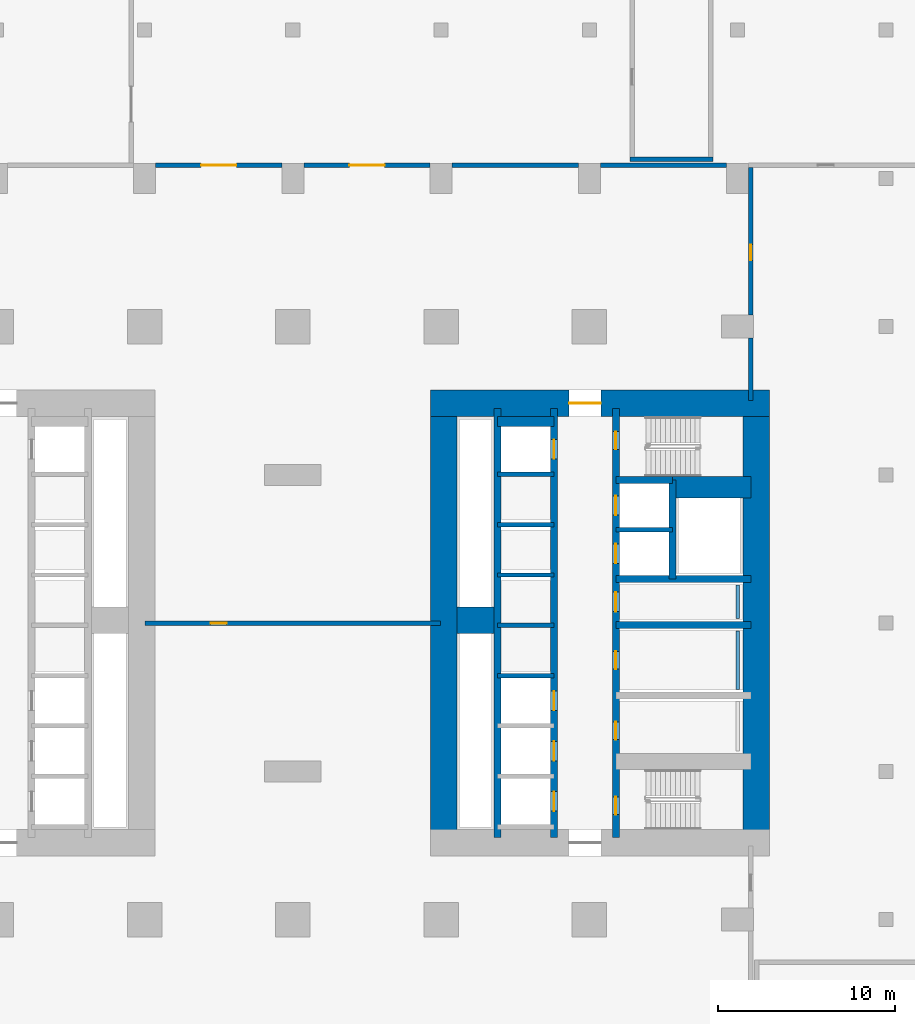
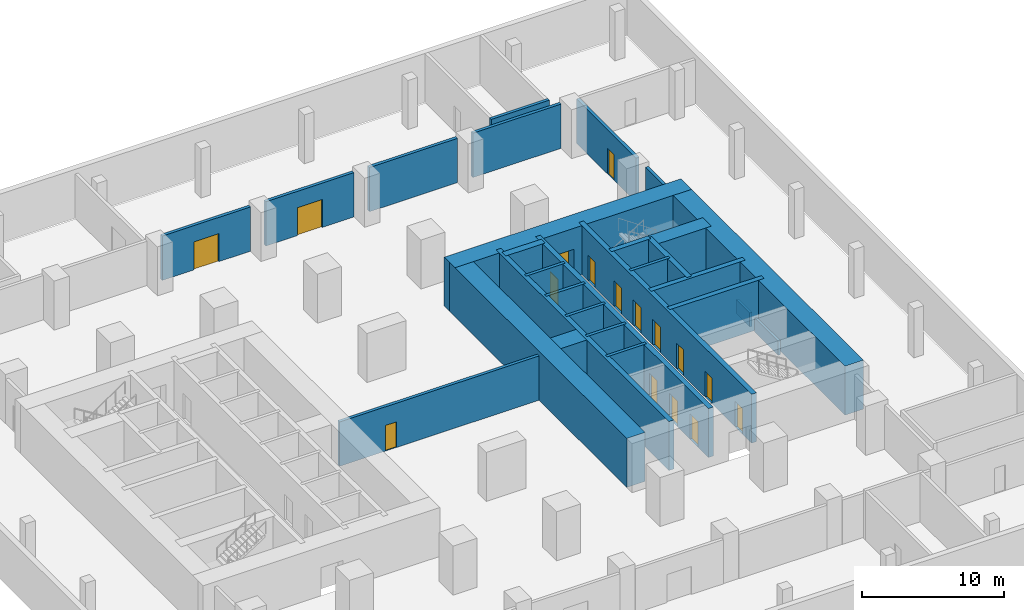
# One storey, part 4 of 8: 29 walls, 16 doors, 16 openings.
"""IFC4 building model written with IfcOpenShell, lengths in metres."""

from ifc_helpers import new_model, si_unit, direction, frame, frame_2d, origin, place, context, subcontext, project, spatial, rectangle, extrude, material, layer, layer_set, type_object, element, fill, save


model = new_model("IFC4")

# Units and contexts
model_context = context("Model", 3, precision=1e-05, world=origin(), true_north=direction((0.0, 1.0)))
body_context = subcontext(model_context, "Body", "Model", "MODEL_VIEW")
ifc_project = project(units=[si_unit("LENGTHUNIT", "METRE"), si_unit("AREAUNIT", "SQUARE_METRE"), si_unit("VOLUMEUNIT", "CUBIC_METRE"), si_unit("PLANEANGLEUNIT", "RADIAN"), si_unit("MASSUNIT", "GRAM", prefix="KILO")], contexts=[model_context])

# Site, building, storey
site_placement = place(None, origin())
site = spatial("IfcSite", under=ifc_project, at=site_placement, CompositionType="ELEMENT")
building_placement = place(site_placement, origin())
building = spatial("IfcBuilding", under=site, at=building_placement, Name="Claustro Exchange Tower", CompositionType="ELEMENT")
storey_placement = place(building_placement, frame((0.0, 0.0, -4.199951171875)))
storey = spatial("IfcBuildingStorey", under=building, at=storey_placement, Name="B1", CompositionType="ELEMENT", Elevation=-4.199951171875)

# Wall, opening, door
ifc_material_1 = material(Name="Concrete blockwork, rendered", Category="masonry")
ifc_layer_1 = layer(ifc_material_1, 0.25)
ifc_layer_set_1 = layer_set([ifc_layer_1], Name="Concrete blockwork, rendered")
wall_type_1 = type_object("IfcWallType", Name="P4 250 blockwork wall", PredefinedType="PARTITIONING", material=ifc_layer_set_1)
wall_1_placement = place(storey_placement, frame((17.424072265625, 51.14990234375, 0.0), z_axis=(0.0, 0.0, 1.0), x_axis=(1.0, 0.0, 0.0)))
wall_1 = element("IfcWall", 1, at=wall_1_placement, inside=storey, type_object=wall_type_1, Name="Partition P4 B1", PredefinedType="PARTITIONING", context=body_context, shape_type="SweptSolid", body=[
    extrude(rectangle(XDim=7.15185546875, YDim=0.25, at=frame_2d((3.575927734375, 0.0))), origin(), (0.0, 0.0, 1.0), 3.800048828125),
])
opening_1_placement = place(wall_1_placement, frame((2.575927734375, 0.0, 0.0)))
opening_1 = element("IfcOpeningElement", 2, at=opening_1_placement, cuts=wall_1, Name="Opening D9", PredefinedType="OPENING", context=body_context, shape_type="SweptSolid", body=[
    extrude(rectangle(XDim=2.0, YDim=2.39990234375, at=frame_2d((1.0, 1.199951171875))), frame((0.0, 0.135009765625, 0.0), z_axis=(0.0, -1.0, 0.0), x_axis=(1.0, 0.0, 0.0)), (0.0, 0.0, 1.0), 0.27001953125),
])
ifc_material_2 = material(Name="Steel fire door, painted", Category="steel")
door_type_1 = type_object("IfcDoorType", Name="D9 2000 x 2400 plant room double door", OperationType="DOUBLE_DOOR_SINGLE_SWING", PredefinedType="DOOR", material=ifc_material_2)
door_1_placement = place(opening_1_placement, origin())
door_1 = element("IfcDoor", 3, at=door_1_placement, inside=storey, type_object=door_type_1, Name="Double door D9 B1", OperationType="DOUBLE_DOOR_SINGLE_SWING", OverallHeight=2.39990234375, OverallWidth=2.0, PredefinedType="DOOR", context=body_context, shape_type="SweptSolid", body=[
    extrude(rectangle(XDim=2.0, YDim=2.39990234375, at=frame_2d((1.0, 1.199951171875))), frame((0.0, 0.02490234375, 0.0), z_axis=(0.0, -1.0, 0.0), x_axis=(1.0, 0.0, 0.0)), (0.0, 0.0, 1.0), 0.050048828125),
])
fill(opening_1, door_1)

wall_2_placement = place(storey_placement, frame((25.823974609375, 51.14990234375, 0.0), z_axis=(0.0, 0.0, 1.0), x_axis=(1.0, 0.0, 0.0)))
wall_2 = element("IfcWall", 4, at=wall_2_placement, inside=storey, type_object=wall_type_1, Name="Partition P4 B1", PredefinedType="PARTITIONING", context=body_context, shape_type="SweptSolid", body=[
    extrude(rectangle(XDim=7.152099609375, YDim=0.25, at=frame_2d((3.576171875, 0.0))), origin(), (0.0, 0.0, 1.0), 3.800048828125),
])
opening_2_placement = place(wall_2_placement, frame((2.575927734375, 0.0, 0.0)))
opening_2 = element("IfcOpeningElement", 5, at=opening_2_placement, cuts=wall_2, Name="Opening D9", PredefinedType="OPENING", context=body_context, shape_type="SweptSolid", body=[
    extrude(rectangle(XDim=2.0, YDim=2.39990234375, at=frame_2d((1.0, 1.199951171875))), frame((0.0, 0.135009765625, 0.0), z_axis=(0.0, -1.0, 0.0), x_axis=(1.0, 0.0, 0.0)), (0.0, 0.0, 1.0), 0.27001953125),
])
door_2_placement = place(opening_2_placement, origin())
door_2 = element("IfcDoor", 6, at=door_2_placement, inside=storey, type_object=door_type_1, Name="Double door D9 B1", OperationType="DOUBLE_DOOR_SINGLE_SWING", OverallHeight=2.39990234375, OverallWidth=2.0, PredefinedType="DOOR", context=body_context, shape_type="SweptSolid", body=[
    extrude(rectangle(XDim=2.0, YDim=2.39990234375, at=frame_2d((1.0, 1.199951171875))), frame((0.0, 0.02490234375, 0.0), z_axis=(0.0, -1.0, 0.0), x_axis=(1.0, 0.0, 0.0)), (0.0, 0.0, 1.0), 0.050048828125),
])
fill(opening_2, door_2)

# Walls
for number, where, z_axis, x_axis, name in (
    (7, (34.22412109375, 51.14990234375, 0.0), (0.0, 0.0, 1.0), (1.0, 0.0, 0.0), "Partition P4 B1"),
    (8, (42.6240234375, 51.14990234375, 0.0), (0.0, 0.0, 1.0), (1.0, 0.0, 0.0), "Partition P4 B1"),
):
    element("IfcWall", number, at=place(storey_placement, frame(where, z_axis=z_axis, x_axis=x_axis)), inside=storey, type_object=wall_type_1, Name=name, PredefinedType="PARTITIONING", context=body_context, shape_type="SweptSolid", body=[
        extrude(rectangle(XDim=7.15185546875, YDim=0.25, at=frame_2d((3.575927734375, 0.0))), origin(), (0.0, 0.0, 1.0), 3.800048828125),
    ])
wall_3_placement = place(storey_placement, frame((51.14990234375, 37.820068359375, 0.0), z_axis=(0.0, 0.0, 1.0), x_axis=(0.0, 1.0, 0.0)))
element("IfcWall", 9, at=wall_3_placement, inside=storey, type_object=wall_type_1, Name="Partition P4 B1", PredefinedType="PARTITIONING", context=body_context, shape_type="SweptSolid", body=[
    extrude(rectangle(XDim=3.531005859375, YDim=0.25, at=frame_2d((1.765625, 0.0))), origin(), (0.0, 0.0, 1.0), 3.800048828125),
])

# Wall, opening, door
wall_4_placement = place(storey_placement, frame((51.14990234375, 42.64892578125, 0.0), z_axis=(0.0, 0.0, 1.0), x_axis=(0.0, 1.0, 0.0)))
wall_4 = element("IfcWall", 10, at=wall_4_placement, inside=storey, type_object=wall_type_1, Name="Partition P4 B1", PredefinedType="PARTITIONING", context=body_context, shape_type="SweptSolid", body=[
    extrude(rectangle(XDim=8.376953125, YDim=0.25, at=frame_2d((4.1884765625, 0.0))), origin(), (0.0, 0.0, 1.0), 3.800048828125),
])
opening_3_placement = place(wall_4_placement, frame((3.10107421875, 0.0, 0.0)))
opening_3 = element("IfcOpeningElement", 11, at=opening_3_placement, cuts=wall_4, Name="Opening D12", PredefinedType="OPENING", context=body_context, shape_type="SweptSolid", body=[
    extrude(rectangle(XDim=0.89990234375, YDim=2.199951171875, at=frame_2d((0.449951171875, 1.10009765625))), frame((0.0, 0.135009765625, 0.0), z_axis=(0.0, -1.0, 0.0), x_axis=(1.0, 0.0, 0.0)), (0.0, 0.0, 1.0), 0.27001953125),
])
ifc_material_3 = material(Name="Steel door, painted", Category="steel")
door_type_2 = type_object("IfcDoorType", Name="D12 900 x 2200 plant and store room door", OperationType="SINGLE_SWING_LEFT", PredefinedType="DOOR", material=ifc_material_3)
door_3_placement = place(opening_3_placement, frame((0.89990234375, 0.0, 0.0), z_axis=(0.0, 0.0, 1.0), x_axis=(-1.0, 0.0, 0.0)))
door_3 = element("IfcDoor", 12, at=door_3_placement, inside=storey, type_object=door_type_2, Name="Door D12 B1", OperationType="SINGLE_SWING_LEFT", OverallHeight=2.199951171875, OverallWidth=0.89990234375, PredefinedType="DOOR", context=body_context, shape_type="SweptSolid", body=[
    extrude(rectangle(XDim=0.89990234375, YDim=2.199951171875, at=frame_2d((0.449951171875, 1.10009765625))), frame((0.0, 0.02490234375, 0.0), z_axis=(0.0, -1.0, 0.0), x_axis=(1.0, 0.0, 0.0)), (0.0, 0.0, 1.0), 0.050048828125),
])
fill(opening_3, door_3)

wall_5_placement = place(storey_placement, frame((16.820068359375, 25.199951171875, 0.0), z_axis=(0.0, 0.0, 1.0), x_axis=(1.0, 0.0, 0.0)))
wall_5 = element("IfcWall", 13, at=wall_5_placement, inside=storey, type_object=wall_type_1, Name="Partition P4 B1", PredefinedType="PARTITIONING", context=body_context, shape_type="SweptSolid", body=[
    extrude(rectangle(XDim=16.760009765625, YDim=0.25, at=frame_2d((8.3798828125, 0.0))), origin(), (0.0, 0.0, 1.0), 3.800048828125),
])
opening_4_placement = place(wall_5_placement, frame((3.72998046875, 0.0, 0.0)))
opening_4 = element("IfcOpeningElement", 14, at=opening_4_placement, cuts=wall_5, Name="Opening D12", PredefinedType="OPENING", context=body_context, shape_type="SweptSolid", body=[
    extrude(rectangle(XDim=0.89990234375, YDim=2.199951171875, at=frame_2d((0.449951171875, 1.10009765625))), frame((0.0, 0.135009765625, 0.0), z_axis=(0.0, -1.0, 0.0), x_axis=(1.0, 0.0, 0.0)), (0.0, 0.0, 1.0), 0.27001953125),
])
door_4_placement = place(opening_4_placement, frame((0.89990234375, 0.0, 0.0), z_axis=(0.0, 0.0, 1.0), x_axis=(-1.0, 0.0, 0.0)))
door_4 = element("IfcDoor", 15, at=door_4_placement, inside=storey, type_object=door_type_2, Name="Door D12 B1", OperationType="SINGLE_SWING_RIGHT", OverallHeight=2.199951171875, OverallWidth=0.89990234375, PredefinedType="DOOR", context=body_context, shape_type="SweptSolid", body=[
    extrude(rectangle(XDim=0.89990234375, YDim=2.199951171875, at=frame_2d((0.449951171875, 1.10009765625))), frame((0.0, 0.02490234375, 0.0), z_axis=(0.0, -1.0, 0.0), x_axis=(1.0, 0.0, 0.0)), (0.0, 0.0, 1.0), 0.050048828125),
])
fill(opening_4, door_4)

# Walls
ifc_material_4 = material(Name="Gypsum board on steel studs, tiled", Category="steel")
ifc_layer_2 = layer(ifc_material_4, 0.199951171875)
ifc_layer_set_2 = layer_set([ifc_layer_2], Name="Gypsum board on steel studs, tiled")
wall_type_2 = type_object("IfcWallType", Name="PW1 200 WC duct wall", PredefinedType="PLUMBINGWALL", material=ifc_layer_set_2)
wall_6_placement = place(storey_placement, frame((50.39990234375, 21.449951171875, 0.0), z_axis=(0.0, 0.0, 1.0), x_axis=(0.0, 1.0, 0.0)))
element("IfcWall", 16, at=wall_6_placement, inside=storey, type_object=wall_type_2, Name="WC duct wall PW1 B1", PredefinedType="PLUMBINGWALL", context=body_context, shape_type="SweptSolid", body=[
    extrude(rectangle(XDim=3.300048828125, YDim=0.199951171875, at=frame_2d((1.64990234375, 0.0))), origin(), (0.0, 0.0, 1.0), 1.199951171875),
])
wall_7_placement = place(storey_placement, frame((50.39990234375, 25.449951171875, 0.0), z_axis=(0.0, 0.0, 1.0), x_axis=(0.0, 1.0, 0.0)))
element("IfcWall", 17, at=wall_7_placement, inside=storey, type_object=wall_type_2, Name="WC duct wall PW1 B1", PredefinedType="PLUMBINGWALL", context=body_context, shape_type="SweptSolid", body=[
    extrude(rectangle(XDim=1.900146484375, YDim=0.199951171875, at=frame_2d((0.9501953125, 0.0))), origin(), (0.0, 0.0, 1.0), 1.199951171875),
])

# Wall, opening, door
ifc_material_5 = material(Name="Concrete HA-70 (C70/85)", Category="concrete")
ifc_layer_3 = layer(ifc_material_5, 1.5)
ifc_layer_set_3 = layer_set([ifc_layer_3], Name="Concrete HA-70 (C70/85)")
wall_type_3 = type_object("IfcWallType", Name="SW10 1500 core shear wall", PredefinedType="SHEAR", material=ifc_layer_set_3)
wall_8_placement = place(storey_placement, frame((33.0, 37.64990234375, 0.0), z_axis=(0.0, 0.0, 1.0), x_axis=(1.0, 0.0, 0.0)))
wall_8 = element("IfcWall", 18, at=wall_8_placement, inside=storey, type_object=wall_type_3, Name="Core wall SW10 E core N face B1", PredefinedType="SHEAR", context=body_context, shape_type="SweptSolid", body=[
    extrude(rectangle(XDim=19.199951171875, YDim=1.5, at=frame_2d((9.60009765625, 0.0))), origin(), (0.0, 0.0, 1.0), 4.199951171875),
])
opening_5_placement = place(wall_8_placement, frame((7.85009765625, 0.0, 0.0)))
opening_5 = element("IfcOpeningElement", 19, at=opening_5_placement, cuts=wall_8, Name="Opening D3", PredefinedType="OPENING", context=body_context, shape_type="SweptSolid", body=[
    extrude(rectangle(XDim=1.800048828125, YDim=2.39990234375, at=frame_2d((0.89990234375, 1.199951171875))), frame((0.0, 0.760009765625, 0.0), z_axis=(0.0, -1.0, 0.0), x_axis=(1.0, 0.0, 0.0)), (0.0, 0.0, 1.0), 1.52001953125),
])
ifc_material_6 = material(Name="Steel fire door, painted", Category="steel")
door_type_3 = type_object("IfcDoorType", Name="D3 1800 x 2400 fire-rated lobby double door", OperationType="DOUBLE_DOOR_SINGLE_SWING", PredefinedType="DOOR", material=ifc_material_6)
door_5_placement = place(opening_5_placement, frame((1.800048828125, 0.0, 0.0), z_axis=(0.0, 0.0, 1.0), x_axis=(-1.0, 0.0, 0.0)))
door_5 = element("IfcDoor", 20, at=door_5_placement, inside=storey, type_object=door_type_3, Name="Lift lobby door D3 B1", OperationType="DOUBLE_DOOR_SINGLE_SWING", OverallHeight=2.39990234375, OverallWidth=1.800048828125, PredefinedType="DOOR", context=body_context, shape_type="SweptSolid", body=[
    extrude(rectangle(XDim=1.800048828125, YDim=2.39990234375, at=frame_2d((0.89990234375, 1.199951171875))), frame((0.0, 0.02490234375, 0.0), z_axis=(0.0, -1.0, 0.0), x_axis=(1.0, 0.0, 0.0)), (0.0, 0.0, 1.0), 0.050048828125),
])
fill(opening_5, door_5)

# Walls
ifc_material_7 = material(Name="Concrete HA-70 (C70/85)", Category="concrete")
ifc_layer_4 = layer(ifc_material_7, 1.5)
ifc_layer_set_4 = layer_set([ifc_layer_4], Name="Concrete HA-70 (C70/85)")
wall_type_4 = type_object("IfcWallType", Name="SW10X 1500 exposed core shear wall, board-marked face", PredefinedType="SHEAR", material=ifc_layer_set_4)
for number, where, z_axis, x_axis, name in (
    (21, (33.75, 12.75, 0.0), (0.0, 0.0, 1.0), (0.0, 1.0, 0.0), "Core wall SW10X E core W face B1"),
    (22, (51.449951171875, 12.75, 0.0), (0.0, 0.0, 1.0), (0.0, 1.0, 0.0), "Core wall SW10X E core E face B1"),
):
    element("IfcWall", number, at=place(storey_placement, frame(where, z_axis=z_axis, x_axis=x_axis)), inside=storey, type_object=wall_type_4, Name=name, PredefinedType="SHEAR", context=body_context, shape_type="SweptSolid", body=[
        extrude(rectangle(XDim=24.89990234375, YDim=1.5, at=frame_2d((12.449951171875, 0.0))), origin(), (0.0, 0.0, 1.0), 4.199951171875),
    ])
ifc_material_8 = material(Name="Concrete HA-70 (C70/85)", Category="concrete")
ifc_layer_5 = layer(ifc_material_8, 1.5)
ifc_layer_set_5 = layer_set([ifc_layer_5], Name="Concrete HA-70 (C70/85)")
wall_type_5 = type_object("IfcWallType", Name="SW13 1500 internal core wall, core base", PredefinedType="SHEAR", material=ifc_layer_set_5)
wall_9_placement = place(storey_placement, frame((36.60009765625, 25.35009765625, 0.0), z_axis=(0.0, 0.0, 1.0), x_axis=(-1.0, 0.0, 0.0)))
element("IfcWall", 23, at=wall_9_placement, inside=storey, type_object=wall_type_5, Name="Internal core wall E core B1", PredefinedType="SHEAR", context=body_context, shape_type="SweptSolid", body=[
    extrude(rectangle(XDim=2.10009765625, YDim=1.5, at=frame_2d((1.050048828125, 0.0))), origin(), (0.0, 0.0, 1.0), 4.199951171875),
])

# Wall, openings, doors
ifc_material_9 = material(Name="Concrete HA-70 (C70/85)", Category="concrete")
ifc_layer_6 = layer(ifc_material_9, 0.39990234375)
ifc_layer_set_6 = layer_set([ifc_layer_6], Name="Concrete HA-70 (C70/85)")
wall_type_6 = type_object("IfcWallType", Name="SW4B 400 internal core wall HA-70", PredefinedType="SHEAR", material=ifc_layer_set_6)
wall_10_placement = place(storey_placement, frame((43.5, 13.050048828125, 0.0), z_axis=(0.0, 0.0, 1.0), x_axis=(0.0, 1.0, 0.0)))
wall_10 = element("IfcWall", 24, at=wall_10_placement, inside=storey, type_object=wall_type_6, Name="Internal core wall SW4 E core B1", PredefinedType="SHEAR", context=body_context, shape_type="SweptSolid", body=[
    extrude(rectangle(XDim=24.300048828125, YDim=0.39990234375, at=frame_2d((12.14990234375, 0.0))), origin(), (0.0, 0.0, 1.0), 4.199951171875),
])
opening_6_placement = place(wall_10_placement, frame((1.300048828125, 0.0, 0.0)))
opening_6 = element("IfcOpeningElement", 25, at=opening_6_placement, cuts=wall_10, Name="Opening D4", PredefinedType="OPENING", context=body_context, shape_type="SweptSolid", body=[
    extrude(rectangle(XDim=1.0, YDim=2.199951171875, at=frame_2d((0.5, 1.10009765625))), frame((0.0, 0.2099609375, 0.0), z_axis=(0.0, -1.0, 0.0), x_axis=(1.0, 0.0, 0.0)), (0.0, 0.0, 1.0), 0.419921875),
])
opening_7_placement = place(wall_10_placement, frame((22.0, 0.0, 0.0)))
opening_7 = element("IfcOpeningElement", 26, at=opening_7_placement, cuts=wall_10, Name="Opening D4", PredefinedType="OPENING", context=body_context, shape_type="SweptSolid", body=[
    extrude(rectangle(XDim=1.0, YDim=2.199951171875, at=frame_2d((0.5, 1.10009765625))), frame((0.0, 0.2099609375, 0.0), z_axis=(0.0, -1.0, 0.0), x_axis=(1.0, 0.0, 0.0)), (0.0, 0.0, 1.0), 0.419921875),
])
opening_8_placement = place(wall_10_placement, frame((5.550048828125, 0.0, 0.0)))
opening_8 = element("IfcOpeningElement", 27, at=opening_8_placement, cuts=wall_10, Name="Opening D1", PredefinedType="OPENING", context=body_context, shape_type="SweptSolid", body=[
    extrude(rectangle(XDim=1.0, YDim=2.199951171875, at=frame_2d((0.5, 1.10009765625))), frame((0.0, 0.2099609375, 0.0), z_axis=(0.0, -1.0, 0.0), x_axis=(1.0, 0.0, 0.0)), (0.0, 0.0, 1.0), 0.419921875),
])
opening_9_placement = place(wall_10_placement, frame((9.550048828125, 0.0, 0.0)))
opening_9 = element("IfcOpeningElement", 28, at=opening_9_placement, cuts=wall_10, Name="Opening D1", PredefinedType="OPENING", context=body_context, shape_type="SweptSolid", body=[
    extrude(rectangle(XDim=1.0, YDim=2.199951171875, at=frame_2d((0.5, 1.10009765625))), frame((0.0, 0.2099609375, 0.0), z_axis=(0.0, -1.0, 0.0), x_axis=(1.0, 0.0, 0.0)), (0.0, 0.0, 1.0), 0.419921875),
])
opening_10_placement = place(wall_10_placement, frame((12.800048828125, 0.0, 0.0)))
opening_10 = element("IfcOpeningElement", 29, at=opening_10_placement, cuts=wall_10, Name="Opening D10", PredefinedType="OPENING", context=body_context, shape_type="SweptSolid", body=[
    extrude(rectangle(XDim=1.10009765625, YDim=2.199951171875, at=frame_2d((0.550048828125, 1.10009765625))), frame((0.0, 0.2099609375, 0.0), z_axis=(0.0, -1.0, 0.0), x_axis=(1.0, 0.0, 0.0)), (0.0, 0.0, 1.0), 0.419921875),
])
opening_11_placement = place(wall_10_placement, frame((15.53759765625, 0.0, 0.0)))
opening_11 = element("IfcOpeningElement", 30, at=opening_11_placement, cuts=wall_10, Name="Opening LD", PredefinedType="OPENING", context=body_context, shape_type="SweptSolid", body=[
    extrude(rectangle(XDim=1.10009765625, YDim=2.199951171875, at=frame_2d((0.550048828125, 1.10009765625))), frame((0.0, 0.2099609375, 0.0), z_axis=(0.0, -1.0, 0.0), x_axis=(1.0, 0.0, 0.0)), (0.0, 0.0, 1.0), 0.419921875),
])
opening_12_placement = place(wall_10_placement, frame((18.262451171875, 0.0, 0.0)))
opening_12 = element("IfcOpeningElement", 31, at=opening_12_placement, cuts=wall_10, Name="Opening LD", PredefinedType="OPENING", context=body_context, shape_type="SweptSolid", body=[
    extrude(rectangle(XDim=1.10009765625, YDim=2.199951171875, at=frame_2d((0.550048828125, 1.10009765625))), frame((0.0, 0.2099609375, 0.0), z_axis=(0.0, -1.0, 0.0), x_axis=(1.0, 0.0, 0.0)), (0.0, 0.0, 1.0), 0.419921875),
])
ifc_material_10 = material(Name="Timber door, oak veneer", Category="wood")
door_type_4 = type_object("IfcDoorType", Name="D1 1000 x 2200 single door", OperationType="SINGLE_SWING_LEFT", PredefinedType="DOOR", material=ifc_material_10)
door_6_placement = place(opening_8_placement, frame((1.0, 0.0, 0.0), z_axis=(0.0, 0.0, 1.0), x_axis=(-1.0, 0.0, 0.0)))
door_6 = element("IfcDoor", 32, at=door_6_placement, inside=storey, type_object=door_type_4, Name="Door D1 B1", OperationType="SINGLE_SWING_RIGHT", OverallHeight=2.199951171875, OverallWidth=1.0, PredefinedType="DOOR", context=body_context, shape_type="SweptSolid", body=[
    extrude(rectangle(XDim=1.0, YDim=2.199951171875, at=frame_2d((0.5, 1.10009765625))), frame((0.0, 0.02490234375, 0.0), z_axis=(0.0, -1.0, 0.0), x_axis=(1.0, 0.0, 0.0)), (0.0, 0.0, 1.0), 0.050048828125),
])
fill(opening_8, door_6)
door_7_placement = place(opening_9_placement, frame((1.0, 0.0, 0.0), z_axis=(0.0, 0.0, 1.0), x_axis=(-1.0, 0.0, 0.0)))
door_7 = element("IfcDoor", 33, at=door_7_placement, inside=storey, type_object=door_type_4, Name="Door D1 B1", OperationType="SINGLE_SWING_LEFT", OverallHeight=2.199951171875, OverallWidth=1.0, PredefinedType="DOOR", context=body_context, shape_type="SweptSolid", body=[
    extrude(rectangle(XDim=1.0, YDim=2.199951171875, at=frame_2d((0.5, 1.10009765625))), frame((0.0, 0.02490234375, 0.0), z_axis=(0.0, -1.0, 0.0), x_axis=(1.0, 0.0, 0.0)), (0.0, 0.0, 1.0), 0.050048828125),
])
fill(opening_9, door_7)
ifc_material_11 = material(Name="Timber door, oak veneer", Category="wood")
door_type_5 = type_object("IfcDoorType", Name="D10 1100 x 2200 accessible WC door", OperationType="SINGLE_SWING_LEFT", PredefinedType="DOOR", material=ifc_material_11)
door_8_placement = place(opening_10_placement, origin())
door_8 = element("IfcDoor", 34, at=door_8_placement, inside=storey, type_object=door_type_5, Name="Accessible WC door D10 B1", OperationType="SINGLE_SWING_RIGHT", OverallHeight=2.199951171875, OverallWidth=1.10009765625, PredefinedType="DOOR", context=body_context, shape_type="SweptSolid", body=[
    extrude(rectangle(XDim=1.10009765625, YDim=2.199951171875, at=frame_2d((0.550048828125, 1.10009765625))), frame((0.0, 0.02490234375, 0.0), z_axis=(0.0, -1.0, 0.0), x_axis=(1.0, 0.0, 0.0)), (0.0, 0.0, 1.0), 0.050048828125),
])
fill(opening_10, door_8)
ifc_material_12 = material(Name="Steel fire door, painted", Category="steel")
door_type_6 = type_object("IfcDoorType", Name="D4 1000 x 2200 fire-rated stair door", OperationType="SINGLE_SWING_LEFT", PredefinedType="DOOR", material=ifc_material_12)
door_9_placement = place(opening_6_placement, frame((1.0, 0.0, 0.0), z_axis=(0.0, 0.0, 1.0), x_axis=(-1.0, 0.0, 0.0)))
door_9 = element("IfcDoor", 35, at=door_9_placement, inside=storey, type_object=door_type_6, Name="Stair door D4 B1", OperationType="SINGLE_SWING_RIGHT", OverallHeight=2.199951171875, OverallWidth=1.0, PredefinedType="DOOR", context=body_context, shape_type="SweptSolid", body=[
    extrude(rectangle(XDim=1.0, YDim=2.199951171875, at=frame_2d((0.5, 1.10009765625))), frame((0.0, 0.02490234375, 0.0), z_axis=(0.0, -1.0, 0.0), x_axis=(1.0, 0.0, 0.0)), (0.0, 0.0, 1.0), 0.050048828125),
])
fill(opening_6, door_9)
door_10_placement = place(opening_7_placement, frame((1.0, 0.0, 0.0), z_axis=(0.0, 0.0, 1.0), x_axis=(-1.0, 0.0, 0.0)))
door_10 = element("IfcDoor", 36, at=door_10_placement, inside=storey, type_object=door_type_6, Name="Stair door D4 B1", OperationType="SINGLE_SWING_LEFT", OverallHeight=2.199951171875, OverallWidth=1.0, PredefinedType="DOOR", context=body_context, shape_type="SweptSolid", body=[
    extrude(rectangle(XDim=1.0, YDim=2.199951171875, at=frame_2d((0.5, 1.10009765625))), frame((0.0, 0.02490234375, 0.0), z_axis=(0.0, -1.0, 0.0), x_axis=(1.0, 0.0, 0.0)), (0.0, 0.0, 1.0), 0.050048828125),
])
fill(opening_7, door_10)
ifc_material_13 = material(Name="Stainless steel sliding door", Category="steel")
door_type_7 = type_object("IfcDoorType", Name="LD 1100 x 2200 lift landing door", OperationType="DOUBLE_DOOR_SLIDING", PredefinedType="DOOR", material=ifc_material_13)
door_11_placement = place(opening_11_placement, origin())
door_11 = element("IfcDoor", 37, at=door_11_placement, inside=storey, type_object=door_type_7, Name="Lift landing door LEE1 LD B1", OperationType="DOUBLE_DOOR_SLIDING", OverallHeight=2.199951171875, OverallWidth=1.10009765625, PredefinedType="DOOR", context=body_context, shape_type="SweptSolid", body=[
    extrude(rectangle(XDim=1.10009765625, YDim=2.199951171875, at=frame_2d((0.550048828125, 1.10009765625))), frame((0.0, 0.02490234375, 0.0), z_axis=(0.0, -1.0, 0.0), x_axis=(1.0, 0.0, 0.0)), (0.0, 0.0, 1.0), 0.050048828125),
])
fill(opening_11, door_11)
door_12_placement = place(opening_12_placement, origin())
door_12 = element("IfcDoor", 38, at=door_12_placement, inside=storey, type_object=door_type_7, Name="Lift landing door LEE2 LD B1", OperationType="DOUBLE_DOOR_SLIDING", OverallHeight=2.199951171875, OverallWidth=1.10009765625, PredefinedType="DOOR", context=body_context, shape_type="SweptSolid", body=[
    extrude(rectangle(XDim=1.10009765625, YDim=2.199951171875, at=frame_2d((0.550048828125, 1.10009765625))), frame((0.0, 0.02490234375, 0.0), z_axis=(0.0, -1.0, 0.0), x_axis=(1.0, 0.0, 0.0)), (0.0, 0.0, 1.0), 0.050048828125),
])
fill(opening_12, door_12)

wall_11_placement = place(storey_placement, frame((40.0, 13.050048828125, 0.0), z_axis=(0.0, 0.0, 1.0), x_axis=(0.0, 1.0, 0.0)))
wall_11 = element("IfcWall", 39, at=wall_11_placement, inside=storey, type_object=wall_type_6, Name="Internal core wall SW4 E core B1", PredefinedType="SHEAR", context=body_context, shape_type="SweptSolid", body=[
    extrude(rectangle(XDim=24.300048828125, YDim=0.39990234375, at=frame_2d((12.14990234375, 0.0))), origin(), (0.0, 0.0, 1.0), 4.199951171875),
])
opening_13_placement = place(wall_11_placement, frame((1.5, 0.0, 0.0)))
opening_13 = element("IfcOpeningElement", 40, at=opening_13_placement, cuts=wall_11, Name="Opening LD", PredefinedType="OPENING", context=body_context, shape_type="SweptSolid", body=[
    extrude(rectangle(XDim=1.10009765625, YDim=2.199951171875, at=frame_2d((0.550048828125, 1.10009765625))), frame((0.0, 0.2099609375, 0.0), z_axis=(0.0, -1.0, 0.0), x_axis=(1.0, 0.0, 0.0)), (0.0, 0.0, 1.0), 0.419921875),
])
opening_14_placement = place(wall_11_placement, frame((4.35009765625, 0.0, 0.0)))
opening_14 = element("IfcOpeningElement", 41, at=opening_14_placement, cuts=wall_11, Name="Opening LD", PredefinedType="OPENING", context=body_context, shape_type="SweptSolid", body=[
    extrude(rectangle(XDim=1.10009765625, YDim=2.199951171875, at=frame_2d((0.550048828125, 1.10009765625))), frame((0.0, 0.2099609375, 0.0), z_axis=(0.0, -1.0, 0.0), x_axis=(1.0, 0.0, 0.0)), (0.0, 0.0, 1.0), 0.419921875),
])
opening_15_placement = place(wall_11_placement, frame((7.199951171875, 0.0, 0.0)))
opening_15 = element("IfcOpeningElement", 42, at=opening_15_placement, cuts=wall_11, Name="Opening LD", PredefinedType="OPENING", context=body_context, shape_type="SweptSolid", body=[
    extrude(rectangle(XDim=1.10009765625, YDim=2.199951171875, at=frame_2d((0.550048828125, 1.10009765625))), frame((0.0, 0.2099609375, 0.0), z_axis=(0.0, -1.0, 0.0), x_axis=(1.0, 0.0, 0.0)), (0.0, 0.0, 1.0), 0.419921875),
])
opening_16_placement = place(wall_11_placement, frame((21.449951171875, 0.0, 0.0)))
opening_16 = element("IfcOpeningElement", 43, at=opening_16_placement, cuts=wall_11, Name="Opening LD", PredefinedType="OPENING", context=body_context, shape_type="SweptSolid", body=[
    extrude(rectangle(XDim=1.10009765625, YDim=2.199951171875, at=frame_2d((0.550048828125, 1.10009765625))), frame((0.0, 0.2099609375, 0.0), z_axis=(0.0, -1.0, 0.0), x_axis=(1.0, 0.0, 0.0)), (0.0, 0.0, 1.0), 0.419921875),
])
door_13_placement = place(opening_13_placement, origin())
door_13 = element("IfcDoor", 44, at=door_13_placement, inside=storey, type_object=door_type_7, Name="Lift landing door LLE1 LD B1", OperationType="DOUBLE_DOOR_SLIDING", OverallHeight=2.199951171875, OverallWidth=1.10009765625, PredefinedType="DOOR", context=body_context, shape_type="SweptSolid", body=[
    extrude(rectangle(XDim=1.10009765625, YDim=2.199951171875, at=frame_2d((0.550048828125, 1.10009765625))), frame((0.0, 0.02490234375, 0.0), z_axis=(0.0, -1.0, 0.0), x_axis=(1.0, 0.0, 0.0)), (0.0, 0.0, 1.0), 0.050048828125),
])
fill(opening_13, door_13)
door_14_placement = place(opening_14_placement, origin())
door_14 = element("IfcDoor", 45, at=door_14_placement, inside=storey, type_object=door_type_7, Name="Lift landing door LLE2 LD B1", OperationType="DOUBLE_DOOR_SLIDING", OverallHeight=2.199951171875, OverallWidth=1.10009765625, PredefinedType="DOOR", context=body_context, shape_type="SweptSolid", body=[
    extrude(rectangle(XDim=1.10009765625, YDim=2.199951171875, at=frame_2d((0.550048828125, 1.10009765625))), frame((0.0, 0.02490234375, 0.0), z_axis=(0.0, -1.0, 0.0), x_axis=(1.0, 0.0, 0.0)), (0.0, 0.0, 1.0), 0.050048828125),
])
fill(opening_14, door_14)
door_15_placement = place(opening_15_placement, origin())
door_15 = element("IfcDoor", 46, at=door_15_placement, inside=storey, type_object=door_type_7, Name="Lift landing door LLE3 LD B1", OperationType="DOUBLE_DOOR_SLIDING", OverallHeight=2.199951171875, OverallWidth=1.10009765625, PredefinedType="DOOR", context=body_context, shape_type="SweptSolid", body=[
    extrude(rectangle(XDim=1.10009765625, YDim=2.199951171875, at=frame_2d((0.550048828125, 1.10009765625))), frame((0.0, 0.02490234375, 0.0), z_axis=(0.0, -1.0, 0.0), x_axis=(1.0, 0.0, 0.0)), (0.0, 0.0, 1.0), 0.050048828125),
])
fill(opening_15, door_15)
door_16_placement = place(opening_16_placement, origin())
door_16 = element("IfcDoor", 47, at=door_16_placement, inside=storey, type_object=door_type_7, Name="Lift landing door LSE1 LD B1", OperationType="DOUBLE_DOOR_SLIDING", OverallHeight=2.199951171875, OverallWidth=1.10009765625, PredefinedType="DOOR", context=body_context, shape_type="SweptSolid", body=[
    extrude(rectangle(XDim=1.10009765625, YDim=2.199951171875, at=frame_2d((0.550048828125, 1.10009765625))), frame((0.0, 0.02490234375, 0.0), z_axis=(0.0, -1.0, 0.0), x_axis=(1.0, 0.0, 0.0)), (0.0, 0.0, 1.0), 0.050048828125),
])
fill(opening_16, door_16)

# Walls
wall_12_placement = place(storey_placement, frame((36.800048828125, 13.050048828125, 0.0), z_axis=(0.0, 0.0, 1.0), x_axis=(0.0, 1.0, 0.0)))
element("IfcWall", 48, at=wall_12_placement, inside=storey, type_object=wall_type_6, Name="Internal core wall SW4 E core B1", PredefinedType="SHEAR", context=body_context, shape_type="SweptSolid", body=[
    extrude(rectangle(XDim=24.300048828125, YDim=0.39990234375, at=frame_2d((12.14990234375, 0.0))), origin(), (0.0, 0.0, 1.0), 4.199951171875),
])
for number, where, z_axis, x_axis, name in (
    (49, (51.14990234375, 25.10009765625, 0.0), (0.0, 0.0, 1.0), (-1.0, 0.0, 0.0), "Internal core wall SW4 E core B1"),
    (50, (51.14990234375, 27.699951171875, 0.0), (0.0, 0.0, 1.0), (-1.0, 0.0, 0.0), "Internal core wall SW4 E core B1"),
):
    element("IfcWall", number, at=place(storey_placement, frame(where, z_axis=z_axis, x_axis=x_axis)), inside=storey, type_object=wall_type_6, Name=name, PredefinedType="SHEAR", context=body_context, shape_type="SweptSolid", body=[
        extrude(rectangle(XDim=7.64990234375, YDim=0.39990234375, at=frame_2d((3.824951171875, 0.0))), origin(), (0.0, 0.0, 1.0), 4.199951171875),
    ])
wall_13_placement = place(storey_placement, frame((46.699951171875, 33.300048828125, 0.0), z_axis=(0.0, 0.0, 1.0), x_axis=(-1.0, 0.0, 0.0)))
element("IfcWall", 51, at=wall_13_placement, inside=storey, type_object=wall_type_6, Name="Internal core wall SW4 E core B1", PredefinedType="SHEAR", context=body_context, shape_type="SweptSolid", body=[
    extrude(rectangle(XDim=3.199951171875, YDim=0.39990234375, at=frame_2d((1.60009765625, 0.0))), origin(), (0.0, 0.0, 1.0), 4.199951171875),
])
wall_14_placement = place(storey_placement, frame((46.699951171875, 27.699951171875, 0.0), z_axis=(0.0, 0.0, 1.0), x_axis=(0.0, 1.0, 0.0)))
element("IfcWall", 52, at=wall_14_placement, inside=storey, type_object=wall_type_6, Name="Internal core wall SW4 E core B1", PredefinedType="SHEAR", context=body_context, shape_type="SweptSolid", body=[
    extrude(rectangle(XDim=5.60009765625, YDim=0.39990234375, at=frame_2d((2.800048828125, 0.0))), origin(), (0.0, 0.0, 1.0), 4.199951171875),
])
ifc_material_14 = material(Name="Concrete HA-50 (C50/60)", Category="concrete")
ifc_layer_7 = layer(ifc_material_14, 0.25)
ifc_layer_set_7 = layer_set([ifc_layer_7], Name="Concrete HA-50 (C50/60)")
wall_type_7 = type_object("IfcWallType", Name="SW5 250 lift shaft divider wall", PredefinedType="SHEAR", material=ifc_layer_set_7)
for number, where, z_axis, x_axis, name in (
    (53, (46.699951171875, 30.5, 0.0), (0.0, 0.0, 1.0), (-1.0, 0.0, 0.0), "Lift shaft wall E core B1"),
    (54, (40.0, 22.22509765625, 0.0), (0.0, 0.0, 1.0), (-1.0, 0.0, 0.0), "Lift shaft wall E core B1"),
    (55, (40.0, 25.074951171875, 0.0), (0.0, 0.0, 1.0), (-1.0, 0.0, 0.0), "Lift shaft wall E core B1"),
    (56, (40.0, 27.925048828125, 0.0), (0.0, 0.0, 1.0), (-1.0, 0.0, 0.0), "Lift shaft wall E core B1"),
    (57, (40.0, 30.77490234375, 0.0), (0.0, 0.0, 1.0), (-1.0, 0.0, 0.0), "Lift shaft wall E core B1"),
    (58, (40.0, 33.625, 0.0), (0.0, 0.0, 1.0), (-1.0, 0.0, 0.0), "Lift shaft wall E core B1"),
):
    element("IfcWall", number, at=place(storey_placement, frame(where, z_axis=z_axis, x_axis=x_axis)), inside=storey, type_object=wall_type_7, Name=name, PredefinedType="SHEAR", context=body_context, shape_type="SweptSolid", body=[
        extrude(rectangle(XDim=3.199951171875, YDim=0.25, at=frame_2d((1.60009765625, 0.0))), origin(), (0.0, 0.0, 1.0), 4.199951171875),
    ])
ifc_material_15 = material(Name="Concrete HA-50 (C50/60)", Category="concrete")
ifc_layer_8 = layer(ifc_material_15, 0.550048828125)
ifc_layer_set_8 = layer_set([ifc_layer_8], Name="Concrete HA-50 (C50/60)")
wall_type_8 = type_object("IfcWallType", Name="SW6 550 lift shaft end wall", PredefinedType="SHEAR", material=ifc_layer_set_8)
wall_15_placement = place(storey_placement, frame((40.0, 36.625, 0.0), z_axis=(0.0, 0.0, 1.0), x_axis=(-1.0, 0.0, 0.0)))
element("IfcWall", 59, at=wall_15_placement, inside=storey, type_object=wall_type_8, Name="Lift shaft wall E core B1", PredefinedType="SHEAR", context=body_context, shape_type="SweptSolid", body=[
    extrude(rectangle(XDim=3.199951171875, YDim=0.550048828125, at=frame_2d((1.60009765625, 0.0))), origin(), (0.0, 0.0, 1.0), 4.199951171875),
])
ifc_material_16 = material(Name="Concrete HA-40 (C40/50)", Category="concrete")
ifc_layer_9 = layer(ifc_material_16, 0.25)
ifc_layer_set_9 = layer_set([ifc_layer_9], Name="Concrete HA-40 (C40/50)")
wall_type_9 = type_object("IfcWallType", Name="SW7 250 reinforced concrete stair wall", PredefinedType="SOLIDWALL", material=ifc_layer_set_9)
wall_16_placement = place(storey_placement, frame((44.300048828125, 51.47509765625, 0.0), z_axis=(0.0, 0.0, 1.0), x_axis=(1.0, 0.0, 0.0)))
element("IfcWall", 60, at=wall_16_placement, inside=storey, type_object=wall_type_9, Name="Stair enclosure wall STP4 SW7 B1", PredefinedType="SOLIDWALL", context=body_context, shape_type="SweptSolid", body=[
    extrude(rectangle(XDim=4.699951171875, YDim=0.25, at=frame_2d((2.35009765625, 0.0))), origin(), (0.0, 0.0, 1.0), 4.199951171875),
])
ifc_material_17 = material(Name="Concrete HA-70 (C70/85)", Category="concrete")
ifc_layer_10 = layer(ifc_material_17, 1.199951171875)
ifc_layer_set_10 = layer_set([ifc_layer_10], Name="Concrete HA-70 (C70/85)")
wall_type_10 = type_object("IfcWallType", Name="SW9 1200 internal core wall, core base", PredefinedType="SHEAR", material=ifc_layer_set_10)
wall_17_placement = place(storey_placement, frame((51.14990234375, 32.89990234375, 0.0), z_axis=(0.0, 0.0, 1.0), x_axis=(-1.0, 0.0, 0.0)))
element("IfcWall", 61, at=wall_17_placement, inside=storey, type_object=wall_type_10, Name="Internal core wall E core B1", PredefinedType="SHEAR", context=body_context, shape_type="SweptSolid", body=[
    extrude(rectangle(XDim=4.449951171875, YDim=1.199951171875, at=frame_2d((2.22509765625, 0.0))), origin(), (0.0, 0.0, 1.0), 4.199951171875),
])

save(model, "model.ifc")
